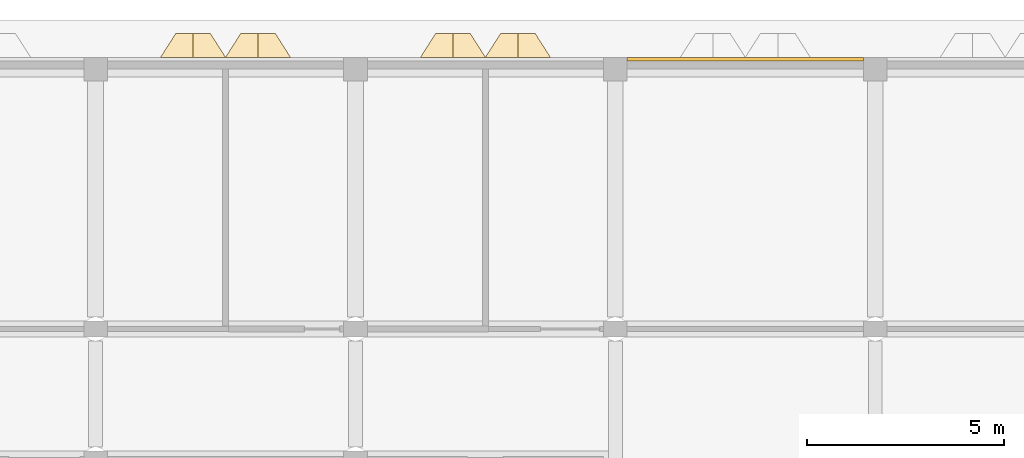
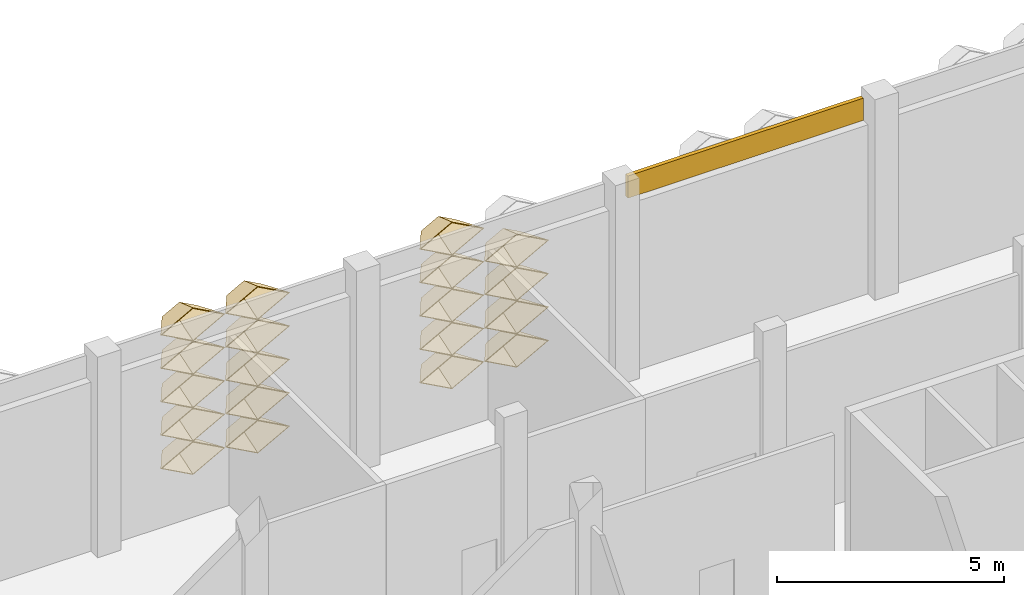
# One storey, part 77 of 85: 20 coverings.
"""IFC4 building model written with IfcOpenShell, lengths in metres."""

from ifc_helpers import new_model, entity, si_unit, direction, frame, frame_2d, origin, place, context, subcontext, project, spatial, rectangle, extrude, material, layer, layer_set, type_object, element, save


model = new_model("IFC4")

# Units and contexts
model_context = context("Model", 3, precision=1e-05, world=origin(), true_north=direction((0.0, 1.0)))
body_context = subcontext(model_context, "Body", "Model", "MODEL_VIEW")
ifc_project = project(units=[si_unit("LENGTHUNIT", "METRE"), si_unit("AREAUNIT", "SQUARE_METRE"), si_unit("VOLUMEUNIT", "CUBIC_METRE"), si_unit("PLANEANGLEUNIT", "RADIAN"), si_unit("MASSUNIT", "GRAM", prefix="KILO")], contexts=[model_context])

# Site, building, storey
site_placement = place(None, origin())
site = spatial("IfcSite", under=ifc_project, at=site_placement, CompositionType="ELEMENT")
building_placement = place(site_placement, origin())
building = spatial("IfcBuilding", under=site, at=building_placement, Name="Lantern Court Research Institute", CompositionType="ELEMENT")
storey_placement = place(building_placement, origin())
storey = spatial("IfcBuildingStorey", under=building, at=storey_placement, Name="L00", CompositionType="ELEMENT", Elevation=0.0)

# Coverings
ifc_material_1 = material(Name="Aluminium composite panel with mineral wool insulation", Category="aluminium")
ifc_layer_1 = layer(ifc_material_1, 0.10009765625)
ifc_layer_set_1 = layer_set([ifc_layer_1], Name="Aluminium composite panel with mineral wool insulation")
covering_type_1 = type_object("IfcCoveringType", Name="Edge fascia panel 100 aluminium faced", PredefinedType="CLADDING", material=ifc_layer_set_1)
covering_1_placement = place(storey_placement, frame((39.89990234375, 99.25, 4.550048828125), z_axis=(0.0, 0.0, 1.0), x_axis=(1.0, 0.0, 0.0)))
element("IfcCovering", 1, at=covering_1_placement, inside=storey, type_object=covering_type_1, Name="Edge fascia V6N L00 06", PredefinedType="CLADDING", context=body_context, shape_type="SweptSolid", body=[
    extrude(rectangle(XDim=6.0, YDim=0.10009765625, at=frame_2d((3.0, 0.0))), origin(), (0.0, 0.0, 1.0), 0.599853515625),
])
ifc_material_2 = material(Name="Anodised aluminium", Category="aluminium")
ifc_layer_2 = layer(ifc_material_2, 0.01611328125)
ifc_layer_set_2 = layer_set([ifc_layer_2], Name="Anodised aluminium")
covering_type_2 = type_object("IfcCoveringType", Name="Fin cassette 1650 x 900 x 600 aluminium", PredefinedType="CLADDING", material=ifc_layer_set_2)
covering_2_placement = place(storey_placement, frame((28.875, 99.300048828125, 1.35009765625), z_axis=(0.0, 1.0, 0.0), x_axis=(-1.0, 0.0, 0.0)))
cartesian_point_1 = entity("IfcCartesianPoint", [0.824951171875, 0.0])
cartesian_point_2 = entity("IfcCartesianPoint", [0.79150390625, 0.0])
cartesian_point_3 = entity("IfcCartesianPoint", [0.44189453125, 0.0])
cartesian_point_4 = entity("IfcCartesianPoint", [0.43359375, 0.0])
element("IfcCovering", 2, at=covering_2_placement, inside=storey, type_object=covering_type_2, Name="Fin cassette V6N-L00 2.18", PredefinedType="CLADDING", context=body_context, shape_type="SweptSolid", body=[
    entity("IfcExtrudedAreaSolidTapered", entity("IfcArbitraryProfileDefWithVoids", "AREA", None, entity("IfcPolyline", [cartesian_point_1, entity("IfcCartesianPoint", [0.0, 0.449951171875]), entity("IfcCartesianPoint", [-0.824951171875, 0.0]), entity("IfcCartesianPoint", [0.0, -0.449951171875]), cartesian_point_1]), [entity("IfcPolyline", [cartesian_point_2, entity("IfcCartesianPoint", [0.0, 0.431884765625]), entity("IfcCartesianPoint", [-0.79150390625, 0.0]), entity("IfcCartesianPoint", [0.0, -0.431884765625]), cartesian_point_2])]), entity("IfcAxis2Placement3D", entity("IfcCartesianPoint", [0.0, 0.0, 0.0])), entity("IfcDirection", [0.0, 0.0, 1.0]), 0.60009765625, entity("IfcArbitraryProfileDefWithVoids", "AREA", None, entity("IfcPolyline", [cartesian_point_3, entity("IfcCartesianPoint", [0.0, 0.240966796875]), entity("IfcCartesianPoint", [-0.44189453125, 0.0]), entity("IfcCartesianPoint", [0.0, -0.240966796875]), cartesian_point_3]), [entity("IfcPolyline", [cartesian_point_4, entity("IfcCartesianPoint", [0.0, 0.236572265625]), entity("IfcCartesianPoint", [-0.43359375, 0.0]), entity("IfcCartesianPoint", [0.0, -0.236572265625]), cartesian_point_4])])),
])
covering_3_placement = place(storey_placement, frame((30.52490234375, 99.300048828125, 1.35009765625), z_axis=(0.0, 1.0, 0.0), x_axis=(-1.0, 0.0, 0.0)))
cartesian_point_5 = entity("IfcCartesianPoint", [0.824951171875, 0.0])
cartesian_point_6 = entity("IfcCartesianPoint", [0.79150390625, 0.0])
cartesian_point_7 = entity("IfcCartesianPoint", [0.44189453125, 0.0])
cartesian_point_8 = entity("IfcCartesianPoint", [0.43359375, 0.0])
element("IfcCovering", 3, at=covering_3_placement, inside=storey, type_object=covering_type_2, Name="Fin cassette V6N-L00 2.19", PredefinedType="CLADDING", context=body_context, shape_type="SweptSolid", body=[
    entity("IfcExtrudedAreaSolidTapered", entity("IfcArbitraryProfileDefWithVoids", "AREA", None, entity("IfcPolyline", [cartesian_point_5, entity("IfcCartesianPoint", [0.0, 0.449951171875]), entity("IfcCartesianPoint", [-0.824951171875, 0.0]), entity("IfcCartesianPoint", [0.0, -0.449951171875]), cartesian_point_5]), [entity("IfcPolyline", [cartesian_point_6, entity("IfcCartesianPoint", [0.0, 0.431884765625]), entity("IfcCartesianPoint", [-0.79150390625, 0.0]), entity("IfcCartesianPoint", [0.0, -0.431884765625]), cartesian_point_6])]), entity("IfcAxis2Placement3D", entity("IfcCartesianPoint", [0.0, 0.0, 0.0])), entity("IfcDirection", [0.0, 0.0, 1.0]), 0.60009765625, entity("IfcArbitraryProfileDefWithVoids", "AREA", None, entity("IfcPolyline", [cartesian_point_7, entity("IfcCartesianPoint", [0.0, 0.240966796875]), entity("IfcCartesianPoint", [-0.44189453125, 0.0]), entity("IfcCartesianPoint", [0.0, -0.240966796875]), cartesian_point_7]), [entity("IfcPolyline", [cartesian_point_8, entity("IfcCartesianPoint", [0.0, 0.236572265625]), entity("IfcCartesianPoint", [-0.43359375, 0.0]), entity("IfcCartesianPoint", [0.0, -0.236572265625]), cartesian_point_8])])),
])
covering_4_placement = place(storey_placement, frame((35.47509765625, 99.300048828125, 1.35009765625), z_axis=(0.0, 1.0, 0.0), x_axis=(-1.0, 0.0, 0.0)))
cartesian_point_9 = entity("IfcCartesianPoint", [0.824951171875, 0.0])
cartesian_point_10 = entity("IfcCartesianPoint", [0.79150390625, 0.0])
cartesian_point_11 = entity("IfcCartesianPoint", [0.44189453125, 0.0])
cartesian_point_12 = entity("IfcCartesianPoint", [0.43359375, 0.0])
element("IfcCovering", 4, at=covering_4_placement, inside=storey, type_object=covering_type_2, Name="Fin cassette V6N-L00 2.22", PredefinedType="CLADDING", context=body_context, shape_type="SweptSolid", body=[
    entity("IfcExtrudedAreaSolidTapered", entity("IfcArbitraryProfileDefWithVoids", "AREA", None, entity("IfcPolyline", [cartesian_point_9, entity("IfcCartesianPoint", [0.0, 0.449951171875]), entity("IfcCartesianPoint", [-0.824951171875, 0.0]), entity("IfcCartesianPoint", [0.0, -0.449951171875]), cartesian_point_9]), [entity("IfcPolyline", [cartesian_point_10, entity("IfcCartesianPoint", [0.0, 0.431884765625]), entity("IfcCartesianPoint", [-0.79150390625, 0.0]), entity("IfcCartesianPoint", [0.0, -0.431884765625]), cartesian_point_10])]), entity("IfcAxis2Placement3D", entity("IfcCartesianPoint", [0.0, 0.0, 0.0])), entity("IfcDirection", [0.0, 0.0, 1.0]), 0.60009765625, entity("IfcArbitraryProfileDefWithVoids", "AREA", None, entity("IfcPolyline", [cartesian_point_11, entity("IfcCartesianPoint", [0.0, 0.240966796875]), entity("IfcCartesianPoint", [-0.44189453125, 0.0]), entity("IfcCartesianPoint", [0.0, -0.240966796875]), cartesian_point_11]), [entity("IfcPolyline", [cartesian_point_12, entity("IfcCartesianPoint", [0.0, 0.236572265625]), entity("IfcCartesianPoint", [-0.43359375, 0.0]), entity("IfcCartesianPoint", [0.0, -0.236572265625]), cartesian_point_12])])),
])
covering_5_placement = place(storey_placement, frame((37.125, 99.300048828125, 1.35009765625), z_axis=(0.0, 1.0, 0.0), x_axis=(-1.0, 0.0, 0.0)))
cartesian_point_13 = entity("IfcCartesianPoint", [0.824951171875, 0.0])
cartesian_point_14 = entity("IfcCartesianPoint", [0.79150390625, 0.0])
cartesian_point_15 = entity("IfcCartesianPoint", [0.44189453125, 0.0])
cartesian_point_16 = entity("IfcCartesianPoint", [0.43359375, 0.0])
element("IfcCovering", 5, at=covering_5_placement, inside=storey, type_object=covering_type_2, Name="Fin cassette V6N-L00 2.23", PredefinedType="CLADDING", context=body_context, shape_type="SweptSolid", body=[
    entity("IfcExtrudedAreaSolidTapered", entity("IfcArbitraryProfileDefWithVoids", "AREA", None, entity("IfcPolyline", [cartesian_point_13, entity("IfcCartesianPoint", [0.0, 0.449951171875]), entity("IfcCartesianPoint", [-0.824951171875, 0.0]), entity("IfcCartesianPoint", [0.0, -0.449951171875]), cartesian_point_13]), [entity("IfcPolyline", [cartesian_point_14, entity("IfcCartesianPoint", [0.0, 0.431884765625]), entity("IfcCartesianPoint", [-0.79150390625, 0.0]), entity("IfcCartesianPoint", [0.0, -0.431884765625]), cartesian_point_14])]), entity("IfcAxis2Placement3D", entity("IfcCartesianPoint", [0.0, 0.0, 0.0])), entity("IfcDirection", [0.0, 0.0, 1.0]), 0.60009765625, entity("IfcArbitraryProfileDefWithVoids", "AREA", None, entity("IfcPolyline", [cartesian_point_15, entity("IfcCartesianPoint", [0.0, 0.240966796875]), entity("IfcCartesianPoint", [-0.44189453125, 0.0]), entity("IfcCartesianPoint", [0.0, -0.240966796875]), cartesian_point_15]), [entity("IfcPolyline", [cartesian_point_16, entity("IfcCartesianPoint", [0.0, 0.236572265625]), entity("IfcCartesianPoint", [-0.43359375, 0.0]), entity("IfcCartesianPoint", [0.0, -0.236572265625]), cartesian_point_16])])),
])
covering_6_placement = place(storey_placement, frame((28.875, 99.300048828125, 2.25), z_axis=(0.0, 1.0, 0.0), x_axis=(-1.0, 0.0, 0.0)))
cartesian_point_17 = entity("IfcCartesianPoint", [0.824951171875, 0.0])
cartesian_point_18 = entity("IfcCartesianPoint", [0.79150390625, 0.0])
cartesian_point_19 = entity("IfcCartesianPoint", [0.44189453125, 0.0])
cartesian_point_20 = entity("IfcCartesianPoint", [0.43359375, 0.0])
element("IfcCovering", 6, at=covering_6_placement, inside=storey, type_object=covering_type_2, Name="Fin cassette V6N-L00 3.18", PredefinedType="CLADDING", context=body_context, shape_type="SweptSolid", body=[
    entity("IfcExtrudedAreaSolidTapered", entity("IfcArbitraryProfileDefWithVoids", "AREA", None, entity("IfcPolyline", [cartesian_point_17, entity("IfcCartesianPoint", [0.0, 0.449951171875]), entity("IfcCartesianPoint", [-0.824951171875, 0.0]), entity("IfcCartesianPoint", [0.0, -0.449951171875]), cartesian_point_17]), [entity("IfcPolyline", [cartesian_point_18, entity("IfcCartesianPoint", [0.0, 0.431884765625]), entity("IfcCartesianPoint", [-0.79150390625, 0.0]), entity("IfcCartesianPoint", [0.0, -0.431884765625]), cartesian_point_18])]), entity("IfcAxis2Placement3D", entity("IfcCartesianPoint", [0.0, 0.0, 0.0])), entity("IfcDirection", [0.0, 0.0, 1.0]), 0.60009765625, entity("IfcArbitraryProfileDefWithVoids", "AREA", None, entity("IfcPolyline", [cartesian_point_19, entity("IfcCartesianPoint", [0.0, 0.240966796875]), entity("IfcCartesianPoint", [-0.44189453125, 0.0]), entity("IfcCartesianPoint", [0.0, -0.240966796875]), cartesian_point_19]), [entity("IfcPolyline", [cartesian_point_20, entity("IfcCartesianPoint", [0.0, 0.236572265625]), entity("IfcCartesianPoint", [-0.43359375, 0.0]), entity("IfcCartesianPoint", [0.0, -0.236572265625]), cartesian_point_20])])),
])
covering_7_placement = place(storey_placement, frame((30.52490234375, 99.300048828125, 2.25), z_axis=(0.0, 1.0, 0.0), x_axis=(-1.0, 0.0, 0.0)))
cartesian_point_21 = entity("IfcCartesianPoint", [0.824951171875, 0.0])
cartesian_point_22 = entity("IfcCartesianPoint", [0.79150390625, 0.0])
cartesian_point_23 = entity("IfcCartesianPoint", [0.44189453125, 0.0])
cartesian_point_24 = entity("IfcCartesianPoint", [0.43359375, 0.0])
element("IfcCovering", 7, at=covering_7_placement, inside=storey, type_object=covering_type_2, Name="Fin cassette V6N-L00 3.19", PredefinedType="CLADDING", context=body_context, shape_type="SweptSolid", body=[
    entity("IfcExtrudedAreaSolidTapered", entity("IfcArbitraryProfileDefWithVoids", "AREA", None, entity("IfcPolyline", [cartesian_point_21, entity("IfcCartesianPoint", [0.0, 0.449951171875]), entity("IfcCartesianPoint", [-0.824951171875, 0.0]), entity("IfcCartesianPoint", [0.0, -0.449951171875]), cartesian_point_21]), [entity("IfcPolyline", [cartesian_point_22, entity("IfcCartesianPoint", [0.0, 0.431884765625]), entity("IfcCartesianPoint", [-0.79150390625, 0.0]), entity("IfcCartesianPoint", [0.0, -0.431884765625]), cartesian_point_22])]), entity("IfcAxis2Placement3D", entity("IfcCartesianPoint", [0.0, 0.0, 0.0])), entity("IfcDirection", [0.0, 0.0, 1.0]), 0.60009765625, entity("IfcArbitraryProfileDefWithVoids", "AREA", None, entity("IfcPolyline", [cartesian_point_23, entity("IfcCartesianPoint", [0.0, 0.240966796875]), entity("IfcCartesianPoint", [-0.44189453125, 0.0]), entity("IfcCartesianPoint", [0.0, -0.240966796875]), cartesian_point_23]), [entity("IfcPolyline", [cartesian_point_24, entity("IfcCartesianPoint", [0.0, 0.236572265625]), entity("IfcCartesianPoint", [-0.43359375, 0.0]), entity("IfcCartesianPoint", [0.0, -0.236572265625]), cartesian_point_24])])),
])
covering_8_placement = place(storey_placement, frame((35.47509765625, 99.300048828125, 2.25), z_axis=(0.0, 1.0, 0.0), x_axis=(-1.0, 0.0, 0.0)))
cartesian_point_25 = entity("IfcCartesianPoint", [0.824951171875, 0.0])
cartesian_point_26 = entity("IfcCartesianPoint", [0.79150390625, 0.0])
cartesian_point_27 = entity("IfcCartesianPoint", [0.44189453125, 0.0])
cartesian_point_28 = entity("IfcCartesianPoint", [0.43359375, 0.0])
element("IfcCovering", 8, at=covering_8_placement, inside=storey, type_object=covering_type_2, Name="Fin cassette V6N-L00 3.22", PredefinedType="CLADDING", context=body_context, shape_type="SweptSolid", body=[
    entity("IfcExtrudedAreaSolidTapered", entity("IfcArbitraryProfileDefWithVoids", "AREA", None, entity("IfcPolyline", [cartesian_point_25, entity("IfcCartesianPoint", [0.0, 0.449951171875]), entity("IfcCartesianPoint", [-0.824951171875, 0.0]), entity("IfcCartesianPoint", [0.0, -0.449951171875]), cartesian_point_25]), [entity("IfcPolyline", [cartesian_point_26, entity("IfcCartesianPoint", [0.0, 0.431884765625]), entity("IfcCartesianPoint", [-0.79150390625, 0.0]), entity("IfcCartesianPoint", [0.0, -0.431884765625]), cartesian_point_26])]), entity("IfcAxis2Placement3D", entity("IfcCartesianPoint", [0.0, 0.0, 0.0])), entity("IfcDirection", [0.0, 0.0, 1.0]), 0.60009765625, entity("IfcArbitraryProfileDefWithVoids", "AREA", None, entity("IfcPolyline", [cartesian_point_27, entity("IfcCartesianPoint", [0.0, 0.240966796875]), entity("IfcCartesianPoint", [-0.44189453125, 0.0]), entity("IfcCartesianPoint", [0.0, -0.240966796875]), cartesian_point_27]), [entity("IfcPolyline", [cartesian_point_28, entity("IfcCartesianPoint", [0.0, 0.236572265625]), entity("IfcCartesianPoint", [-0.43359375, 0.0]), entity("IfcCartesianPoint", [0.0, -0.236572265625]), cartesian_point_28])])),
])
covering_9_placement = place(storey_placement, frame((37.125, 99.300048828125, 2.25), z_axis=(0.0, 1.0, 0.0), x_axis=(-1.0, 0.0, 0.0)))
cartesian_point_29 = entity("IfcCartesianPoint", [0.824951171875, 0.0])
cartesian_point_30 = entity("IfcCartesianPoint", [0.79150390625, 0.0])
cartesian_point_31 = entity("IfcCartesianPoint", [0.44189453125, 0.0])
cartesian_point_32 = entity("IfcCartesianPoint", [0.43359375, 0.0])
element("IfcCovering", 9, at=covering_9_placement, inside=storey, type_object=covering_type_2, Name="Fin cassette V6N-L00 3.23", PredefinedType="CLADDING", context=body_context, shape_type="SweptSolid", body=[
    entity("IfcExtrudedAreaSolidTapered", entity("IfcArbitraryProfileDefWithVoids", "AREA", None, entity("IfcPolyline", [cartesian_point_29, entity("IfcCartesianPoint", [0.0, 0.449951171875]), entity("IfcCartesianPoint", [-0.824951171875, 0.0]), entity("IfcCartesianPoint", [0.0, -0.449951171875]), cartesian_point_29]), [entity("IfcPolyline", [cartesian_point_30, entity("IfcCartesianPoint", [0.0, 0.431884765625]), entity("IfcCartesianPoint", [-0.79150390625, 0.0]), entity("IfcCartesianPoint", [0.0, -0.431884765625]), cartesian_point_30])]), entity("IfcAxis2Placement3D", entity("IfcCartesianPoint", [0.0, 0.0, 0.0])), entity("IfcDirection", [0.0, 0.0, 1.0]), 0.60009765625, entity("IfcArbitraryProfileDefWithVoids", "AREA", None, entity("IfcPolyline", [cartesian_point_31, entity("IfcCartesianPoint", [0.0, 0.240966796875]), entity("IfcCartesianPoint", [-0.44189453125, 0.0]), entity("IfcCartesianPoint", [0.0, -0.240966796875]), cartesian_point_31]), [entity("IfcPolyline", [cartesian_point_32, entity("IfcCartesianPoint", [0.0, 0.236572265625]), entity("IfcCartesianPoint", [-0.43359375, 0.0]), entity("IfcCartesianPoint", [0.0, -0.236572265625]), cartesian_point_32])])),
])
covering_10_placement = place(storey_placement, frame((28.875, 99.300048828125, 3.14990234375), z_axis=(0.0, 1.0, 0.0), x_axis=(-1.0, 0.0, 0.0)))
cartesian_point_33 = entity("IfcCartesianPoint", [0.824951171875, 0.0])
cartesian_point_34 = entity("IfcCartesianPoint", [0.79150390625, 0.0])
cartesian_point_35 = entity("IfcCartesianPoint", [0.44189453125, 0.0])
cartesian_point_36 = entity("IfcCartesianPoint", [0.43359375, 0.0])
element("IfcCovering", 10, at=covering_10_placement, inside=storey, type_object=covering_type_2, Name="Fin cassette V6N-L00 4.18", PredefinedType="CLADDING", context=body_context, shape_type="SweptSolid", body=[
    entity("IfcExtrudedAreaSolidTapered", entity("IfcArbitraryProfileDefWithVoids", "AREA", None, entity("IfcPolyline", [cartesian_point_33, entity("IfcCartesianPoint", [0.0, 0.449951171875]), entity("IfcCartesianPoint", [-0.824951171875, 0.0]), entity("IfcCartesianPoint", [0.0, -0.449951171875]), cartesian_point_33]), [entity("IfcPolyline", [cartesian_point_34, entity("IfcCartesianPoint", [0.0, 0.431884765625]), entity("IfcCartesianPoint", [-0.79150390625, 0.0]), entity("IfcCartesianPoint", [0.0, -0.431884765625]), cartesian_point_34])]), entity("IfcAxis2Placement3D", entity("IfcCartesianPoint", [0.0, 0.0, 0.0])), entity("IfcDirection", [0.0, 0.0, 1.0]), 0.60009765625, entity("IfcArbitraryProfileDefWithVoids", "AREA", None, entity("IfcPolyline", [cartesian_point_35, entity("IfcCartesianPoint", [0.0, 0.240966796875]), entity("IfcCartesianPoint", [-0.44189453125, 0.0]), entity("IfcCartesianPoint", [0.0, -0.240966796875]), cartesian_point_35]), [entity("IfcPolyline", [cartesian_point_36, entity("IfcCartesianPoint", [0.0, 0.236572265625]), entity("IfcCartesianPoint", [-0.43359375, 0.0]), entity("IfcCartesianPoint", [0.0, -0.236572265625]), cartesian_point_36])])),
])
covering_11_placement = place(storey_placement, frame((30.52490234375, 99.300048828125, 3.14990234375), z_axis=(0.0, 1.0, 0.0), x_axis=(-1.0, 0.0, 0.0)))
cartesian_point_37 = entity("IfcCartesianPoint", [0.824951171875, 0.0])
cartesian_point_38 = entity("IfcCartesianPoint", [0.79150390625, 0.0])
cartesian_point_39 = entity("IfcCartesianPoint", [0.44189453125, 0.0])
cartesian_point_40 = entity("IfcCartesianPoint", [0.43359375, 0.0])
element("IfcCovering", 11, at=covering_11_placement, inside=storey, type_object=covering_type_2, Name="Fin cassette V6N-L00 4.19", PredefinedType="CLADDING", context=body_context, shape_type="SweptSolid", body=[
    entity("IfcExtrudedAreaSolidTapered", entity("IfcArbitraryProfileDefWithVoids", "AREA", None, entity("IfcPolyline", [cartesian_point_37, entity("IfcCartesianPoint", [0.0, 0.449951171875]), entity("IfcCartesianPoint", [-0.824951171875, 0.0]), entity("IfcCartesianPoint", [0.0, -0.449951171875]), cartesian_point_37]), [entity("IfcPolyline", [cartesian_point_38, entity("IfcCartesianPoint", [0.0, 0.431884765625]), entity("IfcCartesianPoint", [-0.79150390625, 0.0]), entity("IfcCartesianPoint", [0.0, -0.431884765625]), cartesian_point_38])]), entity("IfcAxis2Placement3D", entity("IfcCartesianPoint", [0.0, 0.0, 0.0])), entity("IfcDirection", [0.0, 0.0, 1.0]), 0.60009765625, entity("IfcArbitraryProfileDefWithVoids", "AREA", None, entity("IfcPolyline", [cartesian_point_39, entity("IfcCartesianPoint", [0.0, 0.240966796875]), entity("IfcCartesianPoint", [-0.44189453125, 0.0]), entity("IfcCartesianPoint", [0.0, -0.240966796875]), cartesian_point_39]), [entity("IfcPolyline", [cartesian_point_40, entity("IfcCartesianPoint", [0.0, 0.236572265625]), entity("IfcCartesianPoint", [-0.43359375, 0.0]), entity("IfcCartesianPoint", [0.0, -0.236572265625]), cartesian_point_40])])),
])
covering_12_placement = place(storey_placement, frame((35.47509765625, 99.300048828125, 3.14990234375), z_axis=(0.0, 1.0, 0.0), x_axis=(-1.0, 0.0, 0.0)))
cartesian_point_41 = entity("IfcCartesianPoint", [0.824951171875, 0.0])
cartesian_point_42 = entity("IfcCartesianPoint", [0.79150390625, 0.0])
cartesian_point_43 = entity("IfcCartesianPoint", [0.44189453125, 0.0])
cartesian_point_44 = entity("IfcCartesianPoint", [0.43359375, 0.0])
element("IfcCovering", 12, at=covering_12_placement, inside=storey, type_object=covering_type_2, Name="Fin cassette V6N-L00 4.22", PredefinedType="CLADDING", context=body_context, shape_type="SweptSolid", body=[
    entity("IfcExtrudedAreaSolidTapered", entity("IfcArbitraryProfileDefWithVoids", "AREA", None, entity("IfcPolyline", [cartesian_point_41, entity("IfcCartesianPoint", [0.0, 0.449951171875]), entity("IfcCartesianPoint", [-0.824951171875, 0.0]), entity("IfcCartesianPoint", [0.0, -0.449951171875]), cartesian_point_41]), [entity("IfcPolyline", [cartesian_point_42, entity("IfcCartesianPoint", [0.0, 0.431884765625]), entity("IfcCartesianPoint", [-0.79150390625, 0.0]), entity("IfcCartesianPoint", [0.0, -0.431884765625]), cartesian_point_42])]), entity("IfcAxis2Placement3D", entity("IfcCartesianPoint", [0.0, 0.0, 0.0])), entity("IfcDirection", [0.0, 0.0, 1.0]), 0.60009765625, entity("IfcArbitraryProfileDefWithVoids", "AREA", None, entity("IfcPolyline", [cartesian_point_43, entity("IfcCartesianPoint", [0.0, 0.240966796875]), entity("IfcCartesianPoint", [-0.44189453125, 0.0]), entity("IfcCartesianPoint", [0.0, -0.240966796875]), cartesian_point_43]), [entity("IfcPolyline", [cartesian_point_44, entity("IfcCartesianPoint", [0.0, 0.236572265625]), entity("IfcCartesianPoint", [-0.43359375, 0.0]), entity("IfcCartesianPoint", [0.0, -0.236572265625]), cartesian_point_44])])),
])
covering_13_placement = place(storey_placement, frame((37.125, 99.300048828125, 3.14990234375), z_axis=(0.0, 1.0, 0.0), x_axis=(-1.0, 0.0, 0.0)))
cartesian_point_45 = entity("IfcCartesianPoint", [0.824951171875, 0.0])
cartesian_point_46 = entity("IfcCartesianPoint", [0.79150390625, 0.0])
cartesian_point_47 = entity("IfcCartesianPoint", [0.44189453125, 0.0])
cartesian_point_48 = entity("IfcCartesianPoint", [0.43359375, 0.0])
element("IfcCovering", 13, at=covering_13_placement, inside=storey, type_object=covering_type_2, Name="Fin cassette V6N-L00 4.23", PredefinedType="CLADDING", context=body_context, shape_type="SweptSolid", body=[
    entity("IfcExtrudedAreaSolidTapered", entity("IfcArbitraryProfileDefWithVoids", "AREA", None, entity("IfcPolyline", [cartesian_point_45, entity("IfcCartesianPoint", [0.0, 0.449951171875]), entity("IfcCartesianPoint", [-0.824951171875, 0.0]), entity("IfcCartesianPoint", [0.0, -0.449951171875]), cartesian_point_45]), [entity("IfcPolyline", [cartesian_point_46, entity("IfcCartesianPoint", [0.0, 0.431884765625]), entity("IfcCartesianPoint", [-0.79150390625, 0.0]), entity("IfcCartesianPoint", [0.0, -0.431884765625]), cartesian_point_46])]), entity("IfcAxis2Placement3D", entity("IfcCartesianPoint", [0.0, 0.0, 0.0])), entity("IfcDirection", [0.0, 0.0, 1.0]), 0.60009765625, entity("IfcArbitraryProfileDefWithVoids", "AREA", None, entity("IfcPolyline", [cartesian_point_47, entity("IfcCartesianPoint", [0.0, 0.240966796875]), entity("IfcCartesianPoint", [-0.44189453125, 0.0]), entity("IfcCartesianPoint", [0.0, -0.240966796875]), cartesian_point_47]), [entity("IfcPolyline", [cartesian_point_48, entity("IfcCartesianPoint", [0.0, 0.236572265625]), entity("IfcCartesianPoint", [-0.43359375, 0.0]), entity("IfcCartesianPoint", [0.0, -0.236572265625]), cartesian_point_48])])),
])
covering_14_placement = place(storey_placement, frame((28.875, 99.300048828125, 4.050048828125), z_axis=(0.0, 1.0, 0.0), x_axis=(-1.0, 0.0, 0.0)))
cartesian_point_49 = entity("IfcCartesianPoint", [0.824951171875, 0.0])
cartesian_point_50 = entity("IfcCartesianPoint", [0.79150390625, 0.0])
cartesian_point_51 = entity("IfcCartesianPoint", [0.44189453125, 0.0])
cartesian_point_52 = entity("IfcCartesianPoint", [0.43359375, 0.0])
element("IfcCovering", 14, at=covering_14_placement, inside=storey, type_object=covering_type_2, Name="Fin cassette V6N-L00 5.18", PredefinedType="CLADDING", context=body_context, shape_type="SweptSolid", body=[
    entity("IfcExtrudedAreaSolidTapered", entity("IfcArbitraryProfileDefWithVoids", "AREA", None, entity("IfcPolyline", [cartesian_point_49, entity("IfcCartesianPoint", [0.0, 0.449951171875]), entity("IfcCartesianPoint", [-0.824951171875, 0.0]), entity("IfcCartesianPoint", [0.0, -0.449951171875]), cartesian_point_49]), [entity("IfcPolyline", [cartesian_point_50, entity("IfcCartesianPoint", [0.0, 0.431884765625]), entity("IfcCartesianPoint", [-0.79150390625, 0.0]), entity("IfcCartesianPoint", [0.0, -0.431884765625]), cartesian_point_50])]), entity("IfcAxis2Placement3D", entity("IfcCartesianPoint", [0.0, 0.0, 0.0])), entity("IfcDirection", [0.0, 0.0, 1.0]), 0.60009765625, entity("IfcArbitraryProfileDefWithVoids", "AREA", None, entity("IfcPolyline", [cartesian_point_51, entity("IfcCartesianPoint", [0.0, 0.240966796875]), entity("IfcCartesianPoint", [-0.44189453125, 0.0]), entity("IfcCartesianPoint", [0.0, -0.240966796875]), cartesian_point_51]), [entity("IfcPolyline", [cartesian_point_52, entity("IfcCartesianPoint", [0.0, 0.236572265625]), entity("IfcCartesianPoint", [-0.43359375, 0.0]), entity("IfcCartesianPoint", [0.0, -0.236572265625]), cartesian_point_52])])),
])
covering_15_placement = place(storey_placement, frame((30.52490234375, 99.300048828125, 4.050048828125), z_axis=(0.0, 1.0, 0.0), x_axis=(-1.0, 0.0, 0.0)))
cartesian_point_53 = entity("IfcCartesianPoint", [0.824951171875, 0.0])
cartesian_point_54 = entity("IfcCartesianPoint", [0.79150390625, 0.0])
cartesian_point_55 = entity("IfcCartesianPoint", [0.44189453125, 0.0])
cartesian_point_56 = entity("IfcCartesianPoint", [0.43359375, 0.0])
element("IfcCovering", 15, at=covering_15_placement, inside=storey, type_object=covering_type_2, Name="Fin cassette V6N-L00 5.19", PredefinedType="CLADDING", context=body_context, shape_type="SweptSolid", body=[
    entity("IfcExtrudedAreaSolidTapered", entity("IfcArbitraryProfileDefWithVoids", "AREA", None, entity("IfcPolyline", [cartesian_point_53, entity("IfcCartesianPoint", [0.0, 0.449951171875]), entity("IfcCartesianPoint", [-0.824951171875, 0.0]), entity("IfcCartesianPoint", [0.0, -0.449951171875]), cartesian_point_53]), [entity("IfcPolyline", [cartesian_point_54, entity("IfcCartesianPoint", [0.0, 0.431884765625]), entity("IfcCartesianPoint", [-0.79150390625, 0.0]), entity("IfcCartesianPoint", [0.0, -0.431884765625]), cartesian_point_54])]), entity("IfcAxis2Placement3D", entity("IfcCartesianPoint", [0.0, 0.0, 0.0])), entity("IfcDirection", [0.0, 0.0, 1.0]), 0.60009765625, entity("IfcArbitraryProfileDefWithVoids", "AREA", None, entity("IfcPolyline", [cartesian_point_55, entity("IfcCartesianPoint", [0.0, 0.240966796875]), entity("IfcCartesianPoint", [-0.44189453125, 0.0]), entity("IfcCartesianPoint", [0.0, -0.240966796875]), cartesian_point_55]), [entity("IfcPolyline", [cartesian_point_56, entity("IfcCartesianPoint", [0.0, 0.236572265625]), entity("IfcCartesianPoint", [-0.43359375, 0.0]), entity("IfcCartesianPoint", [0.0, -0.236572265625]), cartesian_point_56])])),
])
covering_16_placement = place(storey_placement, frame((35.47509765625, 99.300048828125, 4.050048828125), z_axis=(0.0, 1.0, 0.0), x_axis=(-1.0, 0.0, 0.0)))
cartesian_point_57 = entity("IfcCartesianPoint", [0.824951171875, 0.0])
cartesian_point_58 = entity("IfcCartesianPoint", [0.79150390625, 0.0])
cartesian_point_59 = entity("IfcCartesianPoint", [0.44189453125, 0.0])
cartesian_point_60 = entity("IfcCartesianPoint", [0.43359375, 0.0])
element("IfcCovering", 16, at=covering_16_placement, inside=storey, type_object=covering_type_2, Name="Fin cassette V6N-L00 5.22", PredefinedType="CLADDING", context=body_context, shape_type="SweptSolid", body=[
    entity("IfcExtrudedAreaSolidTapered", entity("IfcArbitraryProfileDefWithVoids", "AREA", None, entity("IfcPolyline", [cartesian_point_57, entity("IfcCartesianPoint", [0.0, 0.449951171875]), entity("IfcCartesianPoint", [-0.824951171875, 0.0]), entity("IfcCartesianPoint", [0.0, -0.449951171875]), cartesian_point_57]), [entity("IfcPolyline", [cartesian_point_58, entity("IfcCartesianPoint", [0.0, 0.431884765625]), entity("IfcCartesianPoint", [-0.79150390625, 0.0]), entity("IfcCartesianPoint", [0.0, -0.431884765625]), cartesian_point_58])]), entity("IfcAxis2Placement3D", entity("IfcCartesianPoint", [0.0, 0.0, 0.0])), entity("IfcDirection", [0.0, 0.0, 1.0]), 0.60009765625, entity("IfcArbitraryProfileDefWithVoids", "AREA", None, entity("IfcPolyline", [cartesian_point_59, entity("IfcCartesianPoint", [0.0, 0.240966796875]), entity("IfcCartesianPoint", [-0.44189453125, 0.0]), entity("IfcCartesianPoint", [0.0, -0.240966796875]), cartesian_point_59]), [entity("IfcPolyline", [cartesian_point_60, entity("IfcCartesianPoint", [0.0, 0.236572265625]), entity("IfcCartesianPoint", [-0.43359375, 0.0]), entity("IfcCartesianPoint", [0.0, -0.236572265625]), cartesian_point_60])])),
])
covering_17_placement = place(storey_placement, frame((37.125, 99.300048828125, 4.050048828125), z_axis=(0.0, 1.0, 0.0), x_axis=(-1.0, 0.0, 0.0)))
cartesian_point_61 = entity("IfcCartesianPoint", [0.824951171875, 0.0])
cartesian_point_62 = entity("IfcCartesianPoint", [0.79150390625, 0.0])
cartesian_point_63 = entity("IfcCartesianPoint", [0.44189453125, 0.0])
cartesian_point_64 = entity("IfcCartesianPoint", [0.43359375, 0.0])
element("IfcCovering", 17, at=covering_17_placement, inside=storey, type_object=covering_type_2, Name="Fin cassette V6N-L00 5.23", PredefinedType="CLADDING", context=body_context, shape_type="SweptSolid", body=[
    entity("IfcExtrudedAreaSolidTapered", entity("IfcArbitraryProfileDefWithVoids", "AREA", None, entity("IfcPolyline", [cartesian_point_61, entity("IfcCartesianPoint", [0.0, 0.449951171875]), entity("IfcCartesianPoint", [-0.824951171875, 0.0]), entity("IfcCartesianPoint", [0.0, -0.449951171875]), cartesian_point_61]), [entity("IfcPolyline", [cartesian_point_62, entity("IfcCartesianPoint", [0.0, 0.431884765625]), entity("IfcCartesianPoint", [-0.79150390625, 0.0]), entity("IfcCartesianPoint", [0.0, -0.431884765625]), cartesian_point_62])]), entity("IfcAxis2Placement3D", entity("IfcCartesianPoint", [0.0, 0.0, 0.0])), entity("IfcDirection", [0.0, 0.0, 1.0]), 0.60009765625, entity("IfcArbitraryProfileDefWithVoids", "AREA", None, entity("IfcPolyline", [cartesian_point_63, entity("IfcCartesianPoint", [0.0, 0.240966796875]), entity("IfcCartesianPoint", [-0.44189453125, 0.0]), entity("IfcCartesianPoint", [0.0, -0.240966796875]), cartesian_point_63]), [entity("IfcPolyline", [cartesian_point_64, entity("IfcCartesianPoint", [0.0, 0.236572265625]), entity("IfcCartesianPoint", [-0.43359375, 0.0]), entity("IfcCartesianPoint", [0.0, -0.236572265625]), cartesian_point_64])])),
])
covering_18_placement = place(storey_placement, frame((28.875, 99.300048828125, 4.949951171875), z_axis=(0.0, 1.0, 0.0), x_axis=(-1.0, 0.0, 0.0)))
cartesian_point_65 = entity("IfcCartesianPoint", [0.824951171875, 0.0])
cartesian_point_66 = entity("IfcCartesianPoint", [0.79150390625, 0.0])
cartesian_point_67 = entity("IfcCartesianPoint", [0.44189453125, 0.0])
cartesian_point_68 = entity("IfcCartesianPoint", [0.43359375, 0.0])
element("IfcCovering", 18, at=covering_18_placement, inside=storey, type_object=covering_type_2, Name="Fin cassette V6N-L00 6.18", PredefinedType="CLADDING", context=body_context, shape_type="SweptSolid", body=[
    entity("IfcExtrudedAreaSolidTapered", entity("IfcArbitraryProfileDefWithVoids", "AREA", None, entity("IfcPolyline", [cartesian_point_65, entity("IfcCartesianPoint", [0.0, 0.449951171875]), entity("IfcCartesianPoint", [-0.824951171875, 0.0]), entity("IfcCartesianPoint", [0.0, -0.449951171875]), cartesian_point_65]), [entity("IfcPolyline", [cartesian_point_66, entity("IfcCartesianPoint", [0.0, 0.431884765625]), entity("IfcCartesianPoint", [-0.79150390625, 0.0]), entity("IfcCartesianPoint", [0.0, -0.431884765625]), cartesian_point_66])]), entity("IfcAxis2Placement3D", entity("IfcCartesianPoint", [0.0, 0.0, 0.0])), entity("IfcDirection", [0.0, 0.0, 1.0]), 0.60009765625, entity("IfcArbitraryProfileDefWithVoids", "AREA", None, entity("IfcPolyline", [cartesian_point_67, entity("IfcCartesianPoint", [0.0, 0.240966796875]), entity("IfcCartesianPoint", [-0.44189453125, 0.0]), entity("IfcCartesianPoint", [0.0, -0.240966796875]), cartesian_point_67]), [entity("IfcPolyline", [cartesian_point_68, entity("IfcCartesianPoint", [0.0, 0.236572265625]), entity("IfcCartesianPoint", [-0.43359375, 0.0]), entity("IfcCartesianPoint", [0.0, -0.236572265625]), cartesian_point_68])])),
])
covering_19_placement = place(storey_placement, frame((30.52490234375, 99.300048828125, 4.949951171875), z_axis=(0.0, 1.0, 0.0), x_axis=(-1.0, 0.0, 0.0)))
cartesian_point_69 = entity("IfcCartesianPoint", [0.824951171875, 0.0])
cartesian_point_70 = entity("IfcCartesianPoint", [0.79150390625, 0.0])
cartesian_point_71 = entity("IfcCartesianPoint", [0.44189453125, 0.0])
cartesian_point_72 = entity("IfcCartesianPoint", [0.43359375, 0.0])
element("IfcCovering", 19, at=covering_19_placement, inside=storey, type_object=covering_type_2, Name="Fin cassette V6N-L00 6.19", PredefinedType="CLADDING", context=body_context, shape_type="SweptSolid", body=[
    entity("IfcExtrudedAreaSolidTapered", entity("IfcArbitraryProfileDefWithVoids", "AREA", None, entity("IfcPolyline", [cartesian_point_69, entity("IfcCartesianPoint", [0.0, 0.449951171875]), entity("IfcCartesianPoint", [-0.824951171875, 0.0]), entity("IfcCartesianPoint", [0.0, -0.449951171875]), cartesian_point_69]), [entity("IfcPolyline", [cartesian_point_70, entity("IfcCartesianPoint", [0.0, 0.431884765625]), entity("IfcCartesianPoint", [-0.79150390625, 0.0]), entity("IfcCartesianPoint", [0.0, -0.431884765625]), cartesian_point_70])]), entity("IfcAxis2Placement3D", entity("IfcCartesianPoint", [0.0, 0.0, 0.0])), entity("IfcDirection", [0.0, 0.0, 1.0]), 0.60009765625, entity("IfcArbitraryProfileDefWithVoids", "AREA", None, entity("IfcPolyline", [cartesian_point_71, entity("IfcCartesianPoint", [0.0, 0.240966796875]), entity("IfcCartesianPoint", [-0.44189453125, 0.0]), entity("IfcCartesianPoint", [0.0, -0.240966796875]), cartesian_point_71]), [entity("IfcPolyline", [cartesian_point_72, entity("IfcCartesianPoint", [0.0, 0.236572265625]), entity("IfcCartesianPoint", [-0.43359375, 0.0]), entity("IfcCartesianPoint", [0.0, -0.236572265625]), cartesian_point_72])])),
])
covering_20_placement = place(storey_placement, frame((35.47509765625, 99.300048828125, 4.949951171875), z_axis=(0.0, 1.0, 0.0), x_axis=(-1.0, 0.0, 0.0)))
cartesian_point_73 = entity("IfcCartesianPoint", [0.824951171875, 0.0])
cartesian_point_74 = entity("IfcCartesianPoint", [0.79150390625, 0.0])
cartesian_point_75 = entity("IfcCartesianPoint", [0.44189453125, 0.0])
cartesian_point_76 = entity("IfcCartesianPoint", [0.43359375, 0.0])
element("IfcCovering", 20, at=covering_20_placement, inside=storey, type_object=covering_type_2, Name="Fin cassette V6N-L00 6.22", PredefinedType="CLADDING", context=body_context, shape_type="SweptSolid", body=[
    entity("IfcExtrudedAreaSolidTapered", entity("IfcArbitraryProfileDefWithVoids", "AREA", None, entity("IfcPolyline", [cartesian_point_73, entity("IfcCartesianPoint", [0.0, 0.449951171875]), entity("IfcCartesianPoint", [-0.824951171875, 0.0]), entity("IfcCartesianPoint", [0.0, -0.449951171875]), cartesian_point_73]), [entity("IfcPolyline", [cartesian_point_74, entity("IfcCartesianPoint", [0.0, 0.431884765625]), entity("IfcCartesianPoint", [-0.79150390625, 0.0]), entity("IfcCartesianPoint", [0.0, -0.431884765625]), cartesian_point_74])]), entity("IfcAxis2Placement3D", entity("IfcCartesianPoint", [0.0, 0.0, 0.0])), entity("IfcDirection", [0.0, 0.0, 1.0]), 0.60009765625, entity("IfcArbitraryProfileDefWithVoids", "AREA", None, entity("IfcPolyline", [cartesian_point_75, entity("IfcCartesianPoint", [0.0, 0.240966796875]), entity("IfcCartesianPoint", [-0.44189453125, 0.0]), entity("IfcCartesianPoint", [0.0, -0.240966796875]), cartesian_point_75]), [entity("IfcPolyline", [cartesian_point_76, entity("IfcCartesianPoint", [0.0, 0.236572265625]), entity("IfcCartesianPoint", [-0.43359375, 0.0]), entity("IfcCartesianPoint", [0.0, -0.236572265625]), cartesian_point_76])])),
])

save(model, "model.ifc")
